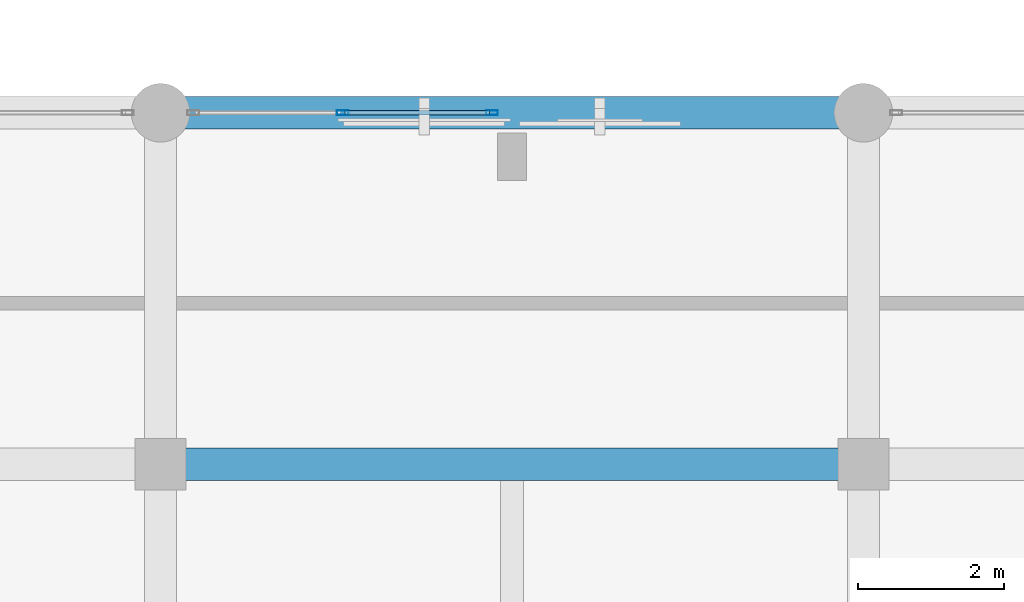
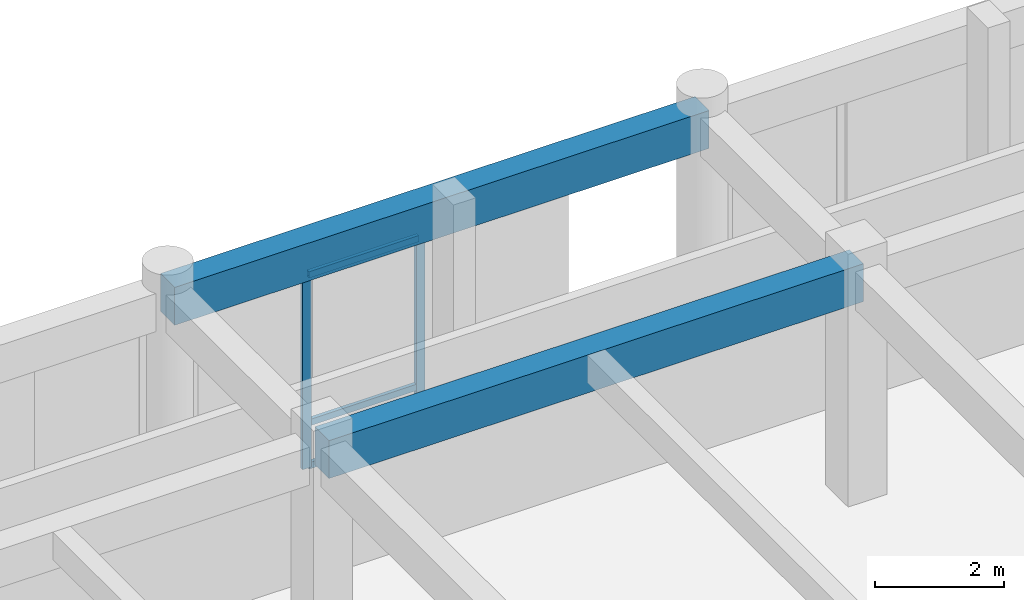
# One storey, part 23 of 133: 5 members, 2 beams, 1 element without a shape of its own.
"""IFC4 building model written with IfcOpenShell, lengths in metres."""

from ifc_helpers import new_model, si_unit, direction, frame, origin, origin_2d, place, context, subcontext, project, spatial, rectangle, hollow_rectangle, extrude, material, layer, layer_set, material_profile, profile_set, type_object, element, aggregate, save


model = new_model("IFC4")

# Units and contexts
model_context = context("Model", 3, precision=1e-05, world=origin(), true_north=direction((0.0, 1.0)))
body_context = subcontext(model_context, "Body", "Model", "MODEL_VIEW")
ifc_project = project(units=[si_unit("LENGTHUNIT", "METRE"), si_unit("AREAUNIT", "SQUARE_METRE"), si_unit("VOLUMEUNIT", "CUBIC_METRE"), si_unit("PLANEANGLEUNIT", "RADIAN"), si_unit("MASSUNIT", "GRAM", prefix="KILO")], contexts=[model_context])

# Site, building, storey
site_placement = place(None, origin())
site = spatial("IfcSite", under=ifc_project, at=site_placement, CompositionType="ELEMENT")
building_placement = place(site_placement, origin())
building = spatial("IfcBuilding", under=site, at=building_placement, Name="Nakhvara Creek Congress Hotel", CompositionType="ELEMENT")
storey_placement = place(building_placement, frame((0.0, 0.0, 11.39990234375)))
storey = spatial("IfcBuildingStorey", under=building, at=storey_placement, Name="L02", CompositionType="ELEMENT", Elevation=11.39990234375)

# Beams
ifc_material_1 = material(Name="Concrete C40/50", Category="concrete")
ifc_material_profile_1 = material_profile(ifc_material_1, rectangle(XDim=0.43994140625, YDim=0.719970703125, at=origin_2d()), Name="RC-BM 440x720", Category="LoadBearing")
ifc_profile_set_1 = profile_set([ifc_material_profile_1], Name="Concrete C40/50")
beam_type = type_object("IfcBeamType", Name="BM-RC-440X720", PredefinedType="BEAM", material=ifc_profile_set_1)
for number, where, z_axis, x_axis, name in (
    (1, (86.39990234375, 38.39990234375, 4.06005859375), (1.0, 0.0, 0.0), (0.0, 1.0, 0.0), "Beam B12-L02-1472"),
    (2, (86.39990234375, 43.199951171875, 4.06005859375), (1.0, 0.0, 0.0), (0.0, 1.0, 0.0), "Beam B12-L02-1473"),
):
    element("IfcBeam", number, at=place(storey_placement, frame(where, z_axis=z_axis, x_axis=x_axis)), inside=storey, type_object=beam_type, Name=name, PredefinedType="BEAM", context=body_context, shape_type="SweptSolid", body=[
        extrude(rectangle(XDim=0.43994140625, YDim=0.719970703125, at=origin_2d()), origin(), (0.0, 0.0, 1.0), 9.60009765625),
    ])

# Curtain wall, members
ifc_material_2 = material(Name="Bronze-anodised aluminium AW-6063-T6 and double-silver low-E glass", Category="aluminium")
ifc_layer = layer(ifc_material_2, 0.199951171875)
ifc_layer_set = layer_set([ifc_layer], Name="Bronze-anodised aluminium AW-6063-T6 and double-silver low-E glass")
curtain_wall_type = type_object("IfcCurtainWallType", Name="CW-POD-STICK", PredefinedType="NOTDEFINED", material=ifc_layer_set)
curtain_wall_placement = place(storey_placement, origin())
curtain_wall = element("IfcCurtainWall", 3, at=curtain_wall_placement, inside=storey, type_object=curtain_wall_type, Name="Curtain Wall CW035", PredefinedType="NOTDEFINED")
ifc_material_3 = material(Name="Bronze-anodised aluminium AW-6063-T6", Category="aluminium")
ifc_material_profile_2 = material_profile(ifc_material_3, hollow_rectangle(XDim=0.06494140625, YDim=0.159912109375, WallThickness=0.00390625, at=origin_2d()), Name="ALU-MULL 65x160x4", Category="LoadBearing")
ifc_profile_set_2 = profile_set([ifc_material_profile_2], Name="Bronze-anodised aluminium AW-6063-T6")
member_type_1 = type_object("IfcMemberType", Name="CW-MULL-160", PredefinedType="MULLION", material=ifc_profile_set_2)
member_1_placement = place(storey_placement, frame((88.887451171875, 43.199951171875, 0.0), z_axis=(0.0, 0.0, 1.0), x_axis=(0.0, 1.0, 0.0)))
member_1 = element("IfcMember", 4, at=member_1_placement, type_object=member_type_1, Name="CW035 mullion 2", PredefinedType="MULLION", context=body_context, shape_type="SweptSolid", body=[
    extrude(hollow_rectangle(XDim=0.06494140625, YDim=0.159912109375, WallThickness=0.00390625, at=origin_2d()), origin(), (0.0, 0.0, 1.0), 3.692138671875),
])
member_2_placement = place(storey_placement, frame((90.927490234375, 43.199951171875, 0.0), z_axis=(0.0, 0.0, 1.0), x_axis=(0.0, 1.0, 0.0)))
member_2 = element("IfcMember", 5, at=member_2_placement, type_object=member_type_1, Name="CW035 mullion 3", PredefinedType="MULLION", context=body_context, shape_type="SweptSolid", body=[
    extrude(hollow_rectangle(XDim=0.06494140625, YDim=0.159912109375, WallThickness=0.00390625, at=origin_2d()), origin(), (0.0, 0.0, 1.0), 3.692138671875),
])
ifc_material_profile_3 = material_profile(ifc_material_3, hollow_rectangle(XDim=0.06494140625, YDim=0.1201171875, WallThickness=0.00390625, at=origin_2d()), Name="ALU-TRAN 65x120x4", Category="LoadBearing")
ifc_profile_set_3 = profile_set([ifc_material_profile_3], Name="Bronze-anodised aluminium AW-6063-T6")
member_type_2 = type_object("IfcMemberType", Name="CW-TRAN-120", PredefinedType="USERDEFINED", material=ifc_profile_set_3)
member_3_placement = place(storey_placement, frame((88.919921875, 43.199951171875, 0.03271484375), z_axis=(1.0, 0.0, 0.0), x_axis=(0.0, 1.0, 0.0)))
member_3 = element("IfcMember", 6, at=member_3_placement, type_object=member_type_2, Name="CW035 transom 2.1", ObjectType="TRANSOM", PredefinedType="USERDEFINED", context=body_context, shape_type="SweptSolid", body=[
    extrude(hollow_rectangle(XDim=0.06494140625, YDim=0.1201171875, WallThickness=0.00390625, at=origin_2d()), origin(), (0.0, 0.0, 1.0), 1.97509765625),
])
member_4_placement = place(storey_placement, frame((88.919921875, 43.199951171875, 0.85009765625), z_axis=(1.0, 0.0, 0.0), x_axis=(0.0, 1.0, 0.0)))
member_4 = element("IfcMember", 7, at=member_4_placement, type_object=member_type_2, Name="CW035 transom 2.2", ObjectType="TRANSOM", PredefinedType="USERDEFINED", context=body_context, shape_type="SweptSolid", body=[
    extrude(hollow_rectangle(XDim=0.06494140625, YDim=0.1201171875, WallThickness=0.00390625, at=origin_2d()), origin(), (0.0, 0.0, 1.0), 1.97509765625),
])
member_5_placement = place(storey_placement, frame((88.919921875, 43.199951171875, 3.65966796875), z_axis=(1.0, 0.0, 0.0), x_axis=(0.0, 1.0, 0.0)))
member_5 = element("IfcMember", 8, at=member_5_placement, type_object=member_type_2, Name="CW035 transom 2.3", ObjectType="TRANSOM", PredefinedType="USERDEFINED", context=body_context, shape_type="SweptSolid", body=[
    extrude(hollow_rectangle(XDim=0.06494140625, YDim=0.1201171875, WallThickness=0.00390625, at=origin_2d()), origin(), (0.0, 0.0, 1.0), 1.97509765625),
])
aggregate(curtain_wall, [member_1, member_2, member_3, member_4, member_5])

save(model, "model.ifc")
